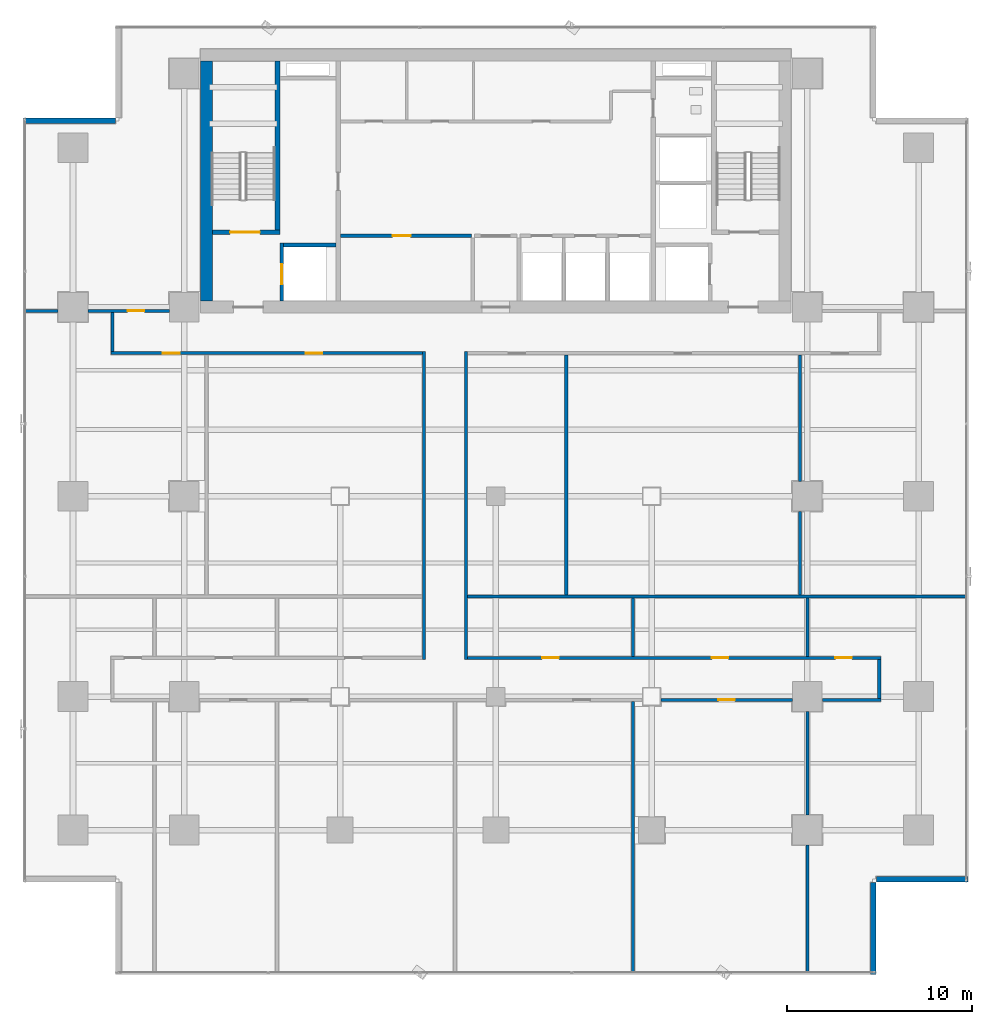
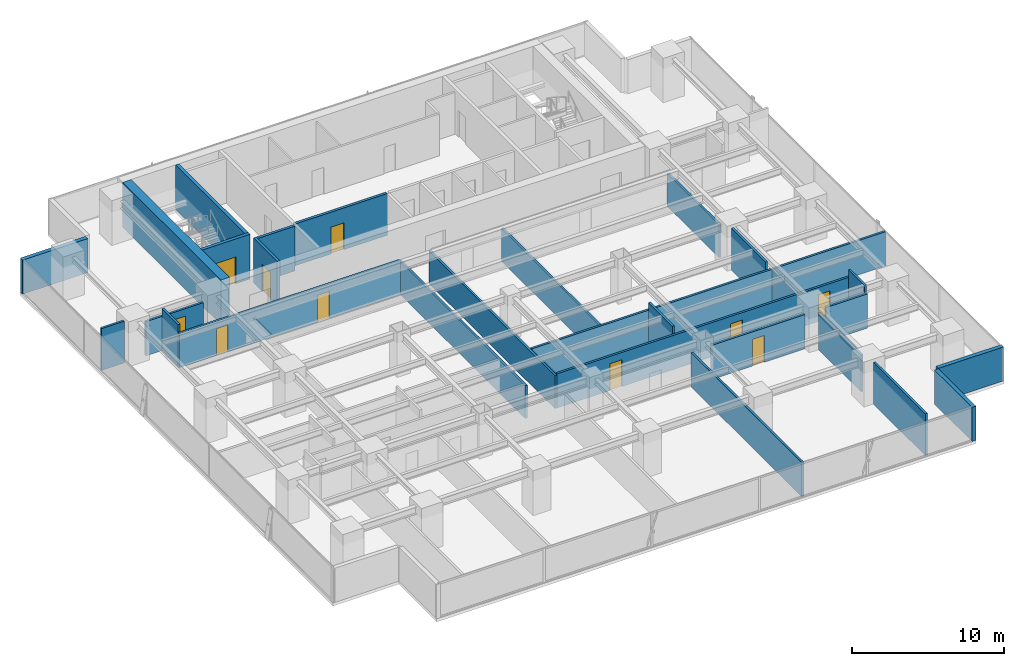
# One storey, part 28 of 37: 28 walls, 10 doors, 10 openings.
"""IFC4 building model written with IfcOpenShell, lengths in metres."""

from ifc_helpers import new_model, si_unit, direction, frame, frame_2d, origin, place, context, subcontext, project, spatial, rectangle, extrude, source, transform, mapped, material, layer, layer_set, type_object, element, fill, save


model = new_model("IFC4")

# Units and contexts
model_context = context("Model", 3, precision=1e-05, world=origin(), true_north=direction((0.0, 1.0)))
body_context = subcontext(model_context, "Body", "Model", "MODEL_VIEW")
ifc_project = project(units=[si_unit("LENGTHUNIT", "METRE"), si_unit("AREAUNIT", "SQUARE_METRE"), si_unit("VOLUMEUNIT", "CUBIC_METRE"), si_unit("PLANEANGLEUNIT", "RADIAN"), si_unit("MASSUNIT", "GRAM", prefix="KILO")], contexts=[model_context])

# Site, building, storey
site_placement = place(None, origin())
site = spatial("IfcSite", under=ifc_project, at=site_placement, CompositionType="ELEMENT")
building_placement = place(site_placement, origin())
building = spatial("IfcBuilding", under=site, at=building_placement, Name="Sumidabori Civic Tower", CompositionType="ELEMENT")
storey_placement = place(building_placement, frame((0.0, 0.0, 110.0)))
storey = spatial("IfcBuildingStorey", under=building, at=storey_placement, Name="L28", CompositionType="ELEMENT", Elevation=110.0)

# Walls
ifc_material_1 = material(Name="Concrete C50/60", Category="concrete")
ifc_layer_1 = layer(ifc_material_1, 0.199951171875, Name="Concrete C50/60")
ifc_layer_set_1 = layer_set([ifc_layer_1], Name="Concrete C50/60")
wall_type_1 = type_object("IfcWallType", Name="WL-SHAFT-200", PredefinedType="SHEAR", material=ifc_layer_set_1)
shared_shape_1 = source(origin(), body_context, "Body", "SweptSolid", [
    extrude(rectangle(XDim=2.824951171875, YDim=0.199951171875, at=frame_2d((1.41259765625, 0.0))), origin(), (0.0, 0.0, 1.0), 3.60009765625),
])
wall_1_placement = place(storey_placement, frame((-11.449951171875, 13.550048828125, 0.0), z_axis=(0.0, 0.0, 1.0), x_axis=(1.0, 0.0, 0.0)))
element("IfcWall", 1, at=wall_1_placement, inside=storey, type_object=wall_type_1, Name="Core Shear Wall L28 EL1-N", PredefinedType="SHEAR", context=body_context, shape_type="MappedRepresentation", body=[
    mapped(shared_shape_1, transform((0.0, 0.0, 0.0), x_axis=(1.0, 0.0, 0.0), y_axis=(0.0, 1.0, 0.0), z_axis=(0.0, 0.0, 1.0), scale=1.0)),
])
ifc_material_2 = material(Name="Concrete C60/75", Category="concrete")
ifc_layer_2 = layer(ifc_material_2, 0.64990234375, Name="Concrete C60/75")
ifc_layer_set_2 = layer_set([ifc_layer_2], Name="Concrete C60/75")
wall_type_2 = type_object("IfcWallType", Name="WL-CORE-650", PredefinedType="SHEAR", material=ifc_layer_set_2)
shared_shape_2 = source(origin(), body_context, "Body", "SweptSolid", [
    extrude(rectangle(XDim=12.9501953125, YDim=0.64990234375, at=frame_2d((6.47509765625, 0.0))), origin(), (0.0, 0.0, 1.0), 3.60009765625),
])
wall_2_placement = place(storey_placement, frame((-15.60009765625, 10.52490234375, 0.0), z_axis=(0.0, 0.0, 1.0), x_axis=(0.0, 1.0, 0.0)))
element("IfcWall", 2, at=wall_2_placement, inside=storey, type_object=wall_type_2, Name="Core Shear Wall L28 W", PredefinedType="SHEAR", context=body_context, shape_type="MappedRepresentation", body=[
    mapped(shared_shape_2, transform((0.0, 0.0, 0.0), x_axis=(1.0, 0.0, 0.0), y_axis=(0.0, 1.0, 0.0), z_axis=(0.0, 0.0, 1.0), scale=1.0)),
])

# Wall, opening, door
ifc_layer_3 = layer(ifc_material_1, 0.25, Name="Concrete C50/60")
ifc_layer_set_3 = layer_set([ifc_layer_3], Name="Concrete C50/60")
wall_type_3 = type_object("IfcWallType", Name="WL-SHAFT-250", PredefinedType="SHEAR", material=ifc_layer_set_3)
shared_shape_3 = source(origin(), body_context, "Body", "SweptSolid", [
    extrude(rectangle(XDim=3.6298828125, YDim=0.25, at=frame_2d((1.81494140625, 0.0))), origin(), (0.0, 0.0, 1.0), 3.60009765625),
])
wall_3_placement = place(storey_placement, frame((-15.27490234375, 14.25, 0.0), z_axis=(0.0, 0.0, 1.0), x_axis=(1.0, 0.0, 0.0)))
wall_3 = element("IfcWall", 3, at=wall_3_placement, inside=storey, type_object=wall_type_3, Name="Core Shear Wall L28 ST1-S", PredefinedType="SHEAR", context=body_context, shape_type="MappedRepresentation", body=[
    mapped(shared_shape_3, transform((0.0, 0.0, 0.0), x_axis=(1.0, 0.0, 0.0), y_axis=(0.0, 1.0, 0.0), z_axis=(0.0, 0.0, 1.0), scale=1.0)),
])
opening_1_placement = place(wall_3_placement, frame((0.949951171875, 0.0, 0.0)))
opening_1 = element("IfcOpeningElement", 4, at=opening_1_placement, cuts=wall_3, Name="Opening DR-FD4", PredefinedType="OPENING", context=body_context, shape_type="SweptSolid", body=[
    extrude(rectangle(XDim=1.60009765625, YDim=2.14990234375, at=frame_2d((0.800048828125, 1.074951171875))), frame((0.0, 0.136962890625, 0.0), z_axis=(0.0, -1.0, 0.0), x_axis=(1.0, 0.0, 0.0)), (0.0, 0.0, 1.0), 0.27392578125),
])
ifc_material_3 = material(Name="Steel SN490", Category="steel")
door_type_1 = type_object("IfcDoorType", Name="DR-FD4", OperationType="DOUBLE_DOOR_SINGLE_SWING", PredefinedType="DOOR", material=ifc_material_3)
shared_shape_4 = source(origin(), body_context, "Body", "SweptSolid", [
    extrude(rectangle(XDim=1.60009765625, YDim=2.14990234375, at=frame_2d((0.800048828125, 1.074951171875))), frame((0.0, 0.02490234375, 0.0), z_axis=(0.0, -1.0, 0.0), x_axis=(1.0, 0.0, 0.0)), (0.0, 0.0, 1.0), 0.050048828125),
])
door_1_placement = place(opening_1_placement, origin())
door_1 = element("IfcDoor", 5, at=door_1_placement, inside=storey, type_object=door_type_1, Name="Door DR:L28:ST1", OperationType="DOUBLE_DOOR_SINGLE_SWING", OverallHeight=2.14990234375, OverallWidth=1.60009765625, PredefinedType="DOOR", context=body_context, shape_type="MappedRepresentation", body=[
    mapped(shared_shape_4, transform((0.0, 0.0, 0.0), x_axis=(1.0, 0.0, 0.0), y_axis=(0.0, 1.0, 0.0), z_axis=(0.0, 0.0, 1.0), scale=1.0)),
])
fill(opening_1, door_1)

# Wall
shared_shape_5 = source(origin(), body_context, "Body", "SweptSolid", [
    extrude(rectangle(XDim=9.10009765625, YDim=0.25, at=frame_2d((4.550048828125, 0.0))), origin(), (0.0, 0.0, 1.0), 3.60009765625),
])
wall_4_placement = place(storey_placement, frame((-11.77001953125, 14.375, 0.0), z_axis=(0.0, 0.0, 1.0), x_axis=(0.0, 1.0, 0.0)))
element("IfcWall", 6, at=wall_4_placement, inside=storey, type_object=wall_type_3, Name="Core Shear Wall L28 ST1-E", PredefinedType="SHEAR", context=body_context, shape_type="MappedRepresentation", body=[
    mapped(shared_shape_5, transform((0.0, 0.0, 0.0), x_axis=(1.0, 0.0, 0.0), y_axis=(0.0, 1.0, 0.0), z_axis=(0.0, 0.0, 1.0), scale=1.0)),
])

# Wall, opening, door
shared_shape_6 = source(origin(), body_context, "Body", "SweptSolid", [
    extrude(rectangle(XDim=3.125, YDim=0.199951171875, at=frame_2d((1.5625, 0.0))), origin(), (0.0, 0.0, 1.0), 3.60009765625),
])
wall_5_placement = place(storey_placement, frame((-11.550048828125, 10.52490234375, 0.0), z_axis=(0.0, 0.0, 1.0), x_axis=(0.0, 1.0, 0.0)))
wall_5 = element("IfcWall", 7, at=wall_5_placement, inside=storey, type_object=wall_type_1, Name="Core Shear Wall L28 EL1-W", PredefinedType="SHEAR", context=body_context, shape_type="MappedRepresentation", body=[
    mapped(shared_shape_6, transform((0.0, 0.0, 0.0), x_axis=(1.0, 0.0, 0.0), y_axis=(0.0, 1.0, 0.0), z_axis=(0.0, 0.0, 1.0), scale=1.0)),
])
opening_2_placement = place(wall_5_placement, frame((0.89990234375, 0.0, 0.0)))
opening_2 = element("IfcOpeningElement", 8, at=opening_2_placement, cuts=wall_5, Name="Opening LD-2", PredefinedType="OPENING", context=body_context, shape_type="SweptSolid", body=[
    extrude(rectangle(XDim=1.10009765625, YDim=2.14990234375, at=frame_2d((0.550048828125, 1.074951171875))), frame((0.0, 0.11181640625, 0.0), z_axis=(0.0, -1.0, 0.0), x_axis=(1.0, 0.0, 0.0)), (0.0, 0.0, 1.0), 0.223876953125),
])
ifc_material_4 = material(Name="Stainless Steel Hairline Finish", Category="steel")
door_type_2 = type_object("IfcDoorType", Name="DR-LD2", OperationType="DOUBLE_DOOR_SLIDING", PredefinedType="DOOR", material=ifc_material_4)
shared_shape_7 = source(origin(), body_context, "Body", "SweptSolid", [
    extrude(rectangle(XDim=1.10009765625, YDim=2.14990234375, at=frame_2d((0.550048828125, 1.074951171875))), frame((0.0, 0.02490234375, 0.0), z_axis=(0.0, -1.0, 0.0), x_axis=(1.0, 0.0, 0.0)), (0.0, 0.0, 1.0), 0.050048828125),
])
door_2_placement = place(opening_2_placement, origin())
door_2 = element("IfcDoor", 9, at=door_2_placement, inside=storey, type_object=door_type_2, Name="Door DR:L28:LD-EL1", OperationType="DOUBLE_DOOR_SLIDING", OverallHeight=2.14990234375, OverallWidth=1.10009765625, PredefinedType="DOOR", context=body_context, shape_type="MappedRepresentation", body=[
    mapped(shared_shape_7, transform((0.0, 0.0, 0.0), x_axis=(1.0, 0.0, 0.0), y_axis=(0.0, 1.0, 0.0), z_axis=(0.0, 0.0, 1.0), scale=1.0)),
])
fill(opening_2, door_2)

# Walls
ifc_material_5 = material(Name="Precast concrete C40/50", Category="concrete")
ifc_layer_4 = layer(ifc_material_5, 0.300048828125, Name="Precast concrete C40/50")
ifc_layer_set_4 = layer_set([ifc_layer_4], Name="Precast concrete C40/50")
wall_type_4 = type_object("IfcWallType", Name="WL-EXT-POD300", PredefinedType="STANDARD", material=ifc_layer_set_4)
shared_shape_8 = source(origin(), body_context, "Body", "SweptSolid", [
    extrude(rectangle(XDim=4.9599609375, YDim=0.300048828125, at=frame_2d((2.47998046875, 0.0))), origin(), (0.0, 0.0, 1.0), 2.739990234375),
])
for number, where, z_axis, x_axis, name in (
    (10, (20.35009765625, -25.780029296875, 0.0), (0.0, 0.0, 1.0), (0.0, 1.0, 0.0), "Notched Corner Spandrel Band L28-02"),
    (11, (20.52001953125, -20.64990234375, 0.0), (0.0, 0.0, 1.0), (1.0, 0.0, 0.0), "Notched Corner Spandrel Band L28-03"),
    (12, (-20.52001953125, 20.25, 0.0), (0.0, 0.0, 1.0), (-1.0, 0.0, 0.0), "Notched Corner Spandrel Band L28-09"),
):
    element("IfcWall", number, at=place(storey_placement, frame(where, z_axis=z_axis, x_axis=x_axis)), inside=storey, type_object=wall_type_4, Name=name, PredefinedType="STANDARD", context=body_context, shape_type="MappedRepresentation", body=[
        mapped(shared_shape_8, transform((0.0, 0.0, 0.0), x_axis=(1.0, 0.0, 0.0), y_axis=(0.0, 1.0, 0.0), z_axis=(0.0, 0.0, 1.0), scale=1.0)),
    ])

# Wall, opening, door
ifc_material_6 = material(Name="Gypsum Plasterboard Fire Partition")
ifc_layer_5 = layer(ifc_material_6, 0.199951171875, Name="Gypsum Plasterboard Fire Partition")
ifc_layer_set_5 = layer_set([ifc_layer_5], Name="Gypsum Plasterboard Fire Partition")
wall_type_5 = type_object("IfcWallType", Name="WL-PART-FIRE", PredefinedType="PARTITIONING", material=ifc_layer_set_5)
shared_shape_9 = source(origin(), body_context, "Body", "SweptSolid", [
    extrude(rectangle(XDim=7.070068359375, YDim=0.199951171875, at=frame_2d((3.53515625, 0.0))), origin(), (0.0, 0.0, 1.0), 3.360107421875),
])
wall_6_placement = place(storey_placement, frame((-8.3701171875, 14.050048828125, 0.0), z_axis=(0.0, 0.0, 1.0), x_axis=(1.0, 0.0, 0.0)))
wall_6 = element("IfcWall", 13, at=wall_6_placement, inside=storey, type_object=wall_type_5, Name="Interior Partition WL:L28:CBAND-SW", PredefinedType="PARTITIONING", context=body_context, shape_type="MappedRepresentation", body=[
    mapped(shared_shape_9, transform((0.0, 0.0, 0.0), x_axis=(1.0, 0.0, 0.0), y_axis=(0.0, 1.0, 0.0), z_axis=(0.0, 0.0, 1.0), scale=1.0)),
])
opening_3_placement = place(wall_6_placement, frame((2.800048828125, 0.0, 0.0)))
opening_3 = element("IfcOpeningElement", 14, at=opening_3_placement, cuts=wall_6, Name="Opening DR-3", PredefinedType="OPENING", context=body_context, shape_type="SweptSolid", body=[
    extrude(rectangle(XDim=0.97998046875, YDim=2.14990234375, at=frame_2d((0.489990234375, 1.074951171875))), frame((0.0, 0.11181640625, 0.0), z_axis=(0.0, -1.0, 0.0), x_axis=(1.0, 0.0, 0.0)), (0.0, 0.0, 1.0), 0.223876953125),
])
ifc_material_7 = material(Name="Japanese Hinoki Timber", Category="wood")
door_type_3 = type_object("IfcDoorType", Name="DR-INT-980", OperationType="NOTDEFINED", PredefinedType="DOOR", material=ifc_material_7)
shared_shape_10 = source(origin(), body_context, "Body", "SweptSolid", [
    extrude(rectangle(XDim=0.97998046875, YDim=2.14990234375, at=frame_2d((0.489990234375, 1.074951171875))), frame((0.0, 0.02490234375, 0.0), z_axis=(0.0, -1.0, 0.0), x_axis=(1.0, 0.0, 0.0)), (0.0, 0.0, 1.0), 0.050048828125),
])
door_3_placement = place(opening_3_placement, origin())
door_3 = element("IfcDoor", 15, at=door_3_placement, inside=storey, type_object=door_type_3, Name="Door DR:L28:REC-B1", OperationType="SINGLE_SWING_LEFT", OverallHeight=2.14990234375, OverallWidth=0.97998046875, PredefinedType="DOOR", context=body_context, shape_type="MappedRepresentation", body=[
    mapped(shared_shape_10, transform((0.0, 0.0, 0.0), x_axis=(1.0, 0.0, 0.0), y_axis=(0.0, 1.0, 0.0), z_axis=(0.0, 0.0, 1.0), scale=1.0)),
])
fill(opening_3, door_3)

# Walls
ifc_material_8 = material(Name="Gypsum Plasterboard Acoustic Partition")
ifc_layer_6 = layer(ifc_material_8, 0.1650390625, Name="Gypsum Plasterboard Acoustic Partition")
ifc_layer_set_6 = layer_set([ifc_layer_6], Name="Gypsum Plasterboard Acoustic Partition")
wall_type_6 = type_object("IfcWallType", Name="WL-PART-165", PredefinedType="PARTITIONING", material=ifc_layer_set_6)
shared_shape_11 = source(origin(), body_context, "Body", "SweptSolid", [
    extrude(rectangle(XDim=16.60009765625, YDim=0.1650390625, at=frame_2d((8.300048828125, 0.0))), origin(), (0.0, 0.0, 1.0), 2.64501953125),
])
for number, where, z_axis, x_axis, name in (
    (16, (-3.882568359375, -8.800048828125, 0.0), (0.0, 0.0, 1.0), (0.0, 1.0, 0.0), "Interior Partition WL:L28:CORR-VSP-W"),
    (17, (-1.617431640625, -8.800048828125, 0.0), (0.0, 0.0, 1.0), (0.0, 1.0, 0.0), "Interior Partition WL:L28:CORR-VSP-E"),
):
    element("IfcWall", number, at=place(storey_placement, frame(where, z_axis=z_axis, x_axis=x_axis)), inside=storey, type_object=wall_type_6, Name=name, PredefinedType="PARTITIONING", context=body_context, shape_type="MappedRepresentation", body=[
        mapped(shared_shape_11, transform((0.0, 0.0, 0.0), x_axis=(1.0, 0.0, 0.0), y_axis=(0.0, 1.0, 0.0), z_axis=(0.0, 0.0, 1.0), scale=1.0)),
    ])
shared_shape_12 = source(origin(), body_context, "Body", "SweptSolid", [
    extrude(rectangle(XDim=12.9423828125, YDim=0.1650390625, at=frame_2d((6.47119140625, 0.0))), origin(), (0.0, 0.0, 1.0), 2.64501953125),
])
wall_7_placement = place(storey_placement, frame((3.800048828125, -5.3125, 0.0), z_axis=(0.0, 0.0, 1.0), x_axis=(0.0, 1.0, 0.0)))
element("IfcWall", 18, at=wall_7_placement, inside=storey, type_object=wall_type_6, Name="Interior Partition WL:L28:VX-N2", PredefinedType="PARTITIONING", context=body_context, shape_type="MappedRepresentation", body=[
    mapped(shared_shape_12, transform((0.0, 0.0, 0.0), x_axis=(1.0, 0.0, 0.0), y_axis=(0.0, 1.0, 0.0), z_axis=(0.0, 0.0, 1.0), scale=1.0)),
])
shared_shape_13 = source(origin(), body_context, "Body", "SweptSolid", [
    extrude(rectangle(XDim=6.81982421875, YDim=0.1650390625, at=frame_2d((3.409912109375, 0.0))), origin(), (0.0, 0.0, 1.0), 2.64501953125),
])
wall_8_placement = place(storey_placement, frame((16.39990234375, 0.81005859375, 0.0), z_axis=(0.0, 0.0, 1.0), x_axis=(0.0, 1.0, 0.0)))
element("IfcWall", 19, at=wall_8_placement, inside=storey, type_object=wall_type_6, Name="Interior Partition WL:L28:VX-N3-2", PredefinedType="PARTITIONING", context=body_context, shape_type="MappedRepresentation", body=[
    mapped(shared_shape_13, transform((0.0, 0.0, 0.0), x_axis=(1.0, 0.0, 0.0), y_axis=(0.0, 1.0, 0.0), z_axis=(0.0, 0.0, 1.0), scale=1.0)),
])
shared_shape_14 = source(origin(), body_context, "Body", "SweptSolid", [
    extrude(rectangle(XDim=5.579833984375, YDim=0.1650390625, at=frame_2d((2.7900390625, 0.0))), origin(), (0.0, 0.0, 1.0), 2.945068359375),
])
wall_9_placement = place(storey_placement, frame((16.800048828125, -17.18994140625, 0.0), z_axis=(0.0, 0.0, 1.0), x_axis=(0.0, 1.0, 0.0)))
element("IfcWall", 20, at=wall_9_placement, inside=storey, type_object=wall_type_6, Name="Interior Partition WL:L28:VX-S5-2", PredefinedType="PARTITIONING", context=body_context, shape_type="MappedRepresentation", body=[
    mapped(shared_shape_14, transform((0.0, 0.0, 0.0), x_axis=(1.0, 0.0, 0.0), y_axis=(0.0, 1.0, 0.0), z_axis=(0.0, 0.0, 1.0), scale=1.0)),
])
shared_shape_15 = source(origin(), body_context, "Body", "SweptSolid", [
    extrude(rectangle(XDim=1.739990234375, YDim=0.1650390625, at=frame_2d((0.8701171875, 0.0))), origin(), (0.0, 0.0, 1.0), 3.360107421875),
])
wall_10_placement = place(storey_placement, frame((-25.35009765625, 10.0, 0.0), z_axis=(0.0, 0.0, 1.0), x_axis=(1.0, 0.0, 0.0)))
element("IfcWall", 21, at=wall_10_placement, inside=storey, type_object=wall_type_6, Name="Interior Partition WL:L28:FLK-NW-1", PredefinedType="PARTITIONING", context=body_context, shape_type="MappedRepresentation", body=[
    mapped(shared_shape_15, transform((0.0, 0.0, 0.0), x_axis=(1.0, 0.0, 0.0), y_axis=(0.0, 1.0, 0.0), z_axis=(0.0, 0.0, 1.0), scale=1.0)),
])

# Wall, opening, door
shared_shape_16 = source(origin(), body_context, "Body", "SweptSolid", [
    extrude(rectangle(XDim=4.3798828125, YDim=0.1650390625, at=frame_2d((2.18994140625, 0.0))), origin(), (0.0, 0.0, 1.0), 2.7451171875),
])
wall_11_placement = place(storey_placement, frame((-21.989990234375, 10.0, 0.0), z_axis=(0.0, 0.0, 1.0), x_axis=(1.0, 0.0, 0.0)))
wall_11 = element("IfcWall", 22, at=wall_11_placement, inside=storey, type_object=wall_type_6, Name="Interior Partition WL:L28:FLK-NW-2", PredefinedType="PARTITIONING", context=body_context, shape_type="MappedRepresentation", body=[
    mapped(shared_shape_16, transform((0.0, 0.0, 0.0), x_axis=(1.0, 0.0, 0.0), y_axis=(0.0, 1.0, 0.0), z_axis=(0.0, 0.0, 1.0), scale=1.0)),
])
opening_4_placement = place(wall_11_placement, frame((2.135009765625, 0.0, 0.0)))
opening_4 = element("IfcOpeningElement", 23, at=opening_4_placement, cuts=wall_11, Name="Opening DR-1", PredefinedType="OPENING", context=body_context, shape_type="SweptSolid", body=[
    extrude(rectangle(XDim=0.89990234375, YDim=2.14990234375, at=frame_2d((0.449951171875, 1.074951171875))), frame((0.0, 0.094482421875, 0.0), z_axis=(0.0, -1.0, 0.0), x_axis=(1.0, 0.0, 0.0)), (0.0, 0.0, 1.0), 0.18896484375),
])
door_type_4 = type_object("IfcDoorType", Name="DR-INT-900", OperationType="NOTDEFINED", PredefinedType="DOOR", material=ifc_material_7)
shared_shape_17 = source(origin(), body_context, "Body", "SweptSolid", [
    extrude(rectangle(XDim=0.89990234375, YDim=2.14990234375, at=frame_2d((0.449951171875, 1.074951171875))), frame((0.0, 0.02490234375, 0.0), z_axis=(0.0, -1.0, 0.0), x_axis=(1.0, 0.0, 0.0)), (0.0, 0.0, 1.0), 0.050048828125),
])
door_4_placement = place(opening_4_placement, origin())
door_4 = element("IfcDoor", 24, at=door_4_placement, inside=storey, type_object=door_type_4, Name="Door DR:L28:FLK-NW", OperationType="SINGLE_SWING_LEFT", OverallHeight=2.14990234375, OverallWidth=0.89990234375, PredefinedType="DOOR", context=body_context, shape_type="MappedRepresentation", body=[
    mapped(shared_shape_17, transform((0.0, 0.0, 0.0), x_axis=(1.0, 0.0, 0.0), y_axis=(0.0, 1.0, 0.0), z_axis=(0.0, 0.0, 1.0), scale=1.0)),
])
fill(opening_4, door_4)

# Wall, openings, doors
shared_shape_18 = source(origin(), body_context, "Body", "SweptSolid", [
    extrude(rectangle(XDim=16.7998046875, YDim=0.1650390625, at=frame_2d((8.39990234375, 0.0))), origin(), (0.0, 0.0, 1.0), 2.7451171875),
])
wall_12_placement = place(storey_placement, frame((-20.764892578125, 7.717529296875, 0.0), z_axis=(0.0, 0.0, 1.0), x_axis=(1.0, 0.0, 0.0)))
wall_12 = element("IfcWall", 25, at=wall_12_placement, inside=storey, type_object=wall_type_6, Name="Interior Partition WL:L28:CORR-SW", PredefinedType="PARTITIONING", context=body_context, shape_type="MappedRepresentation", body=[
    mapped(shared_shape_18, transform((0.0, 0.0, 0.0), x_axis=(1.0, 0.0, 0.0), y_axis=(0.0, 1.0, 0.0), z_axis=(0.0, 0.0, 1.0), scale=1.0)),
])
opening_5_placement = place(wall_12_placement, frame((2.813720703125, 0.0, 0.0)))
opening_5 = element("IfcOpeningElement", 26, at=opening_5_placement, cuts=wall_12, Name="Opening DR-1", PredefinedType="OPENING", context=body_context, shape_type="SweptSolid", body=[
    extrude(rectangle(XDim=0.89990234375, YDim=2.14990234375, at=frame_2d((0.449951171875, 1.074951171875))), frame((0.0, 0.094482421875, 0.0), z_axis=(0.0, -1.0, 0.0), x_axis=(1.0, 0.0, 0.0)), (0.0, 0.0, 1.0), 0.18896484375),
])
opening_6_placement = place(wall_12_placement, frame((10.513916015625, 0.0, 0.0)))
opening_6 = element("IfcOpeningElement", 27, at=opening_6_placement, cuts=wall_12, Name="Opening DR-1", PredefinedType="OPENING", context=body_context, shape_type="SweptSolid", body=[
    extrude(rectangle(XDim=0.89990234375, YDim=2.14990234375, at=frame_2d((0.449951171875, 1.074951171875))), frame((0.0, 0.094482421875, 0.0), z_axis=(0.0, -1.0, 0.0), x_axis=(1.0, 0.0, 0.0)), (0.0, 0.0, 1.0), 0.18896484375),
])
door_5_placement = place(opening_5_placement, origin())
door_5 = element("IfcDoor", 28, at=door_5_placement, inside=storey, type_object=door_type_4, Name="Door DR:L28:D02", OperationType="SINGLE_SWING_RIGHT", OverallHeight=2.14990234375, OverallWidth=0.89990234375, PredefinedType="DOOR", context=body_context, shape_type="MappedRepresentation", body=[
    mapped(shared_shape_17, transform((0.0, 0.0, 0.0), x_axis=(1.0, 0.0, 0.0), y_axis=(0.0, 1.0, 0.0), z_axis=(0.0, 0.0, 1.0), scale=1.0)),
])
fill(opening_5, door_5)
door_6_placement = place(opening_6_placement, origin())
door_6 = element("IfcDoor", 29, at=door_6_placement, inside=storey, type_object=door_type_4, Name="Door DR:L28:D04", OperationType="SINGLE_SWING_RIGHT", OverallHeight=2.14990234375, OverallWidth=0.89990234375, PredefinedType="DOOR", context=body_context, shape_type="MappedRepresentation", body=[
    mapped(shared_shape_17, transform((0.0, 0.0, 0.0), x_axis=(1.0, 0.0, 0.0), y_axis=(0.0, 1.0, 0.0), z_axis=(0.0, 0.0, 1.0), scale=1.0)),
])
fill(opening_6, door_6)

shared_shape_19 = source(origin(), body_context, "Body", "SweptSolid", [
    extrude(rectangle(XDim=22.2998046875, YDim=0.1650390625, at=frame_2d((11.14990234375, 0.0))), origin(), (0.0, 0.0, 1.0), 2.7451171875),
])
wall_13_placement = place(storey_placement, frame((-1.534912109375, -8.717529296875, 0.0), z_axis=(0.0, 0.0, 1.0), x_axis=(1.0, 0.0, 0.0)))
wall_13 = element("IfcWall", 30, at=wall_13_placement, inside=storey, type_object=wall_type_6, Name="Interior Partition WL:L28:CORR-MNE", PredefinedType="PARTITIONING", context=body_context, shape_type="MappedRepresentation", body=[
    mapped(shared_shape_19, transform((0.0, 0.0, 0.0), x_axis=(1.0, 0.0, 0.0), y_axis=(0.0, 1.0, 0.0), z_axis=(0.0, 0.0, 1.0), scale=1.0)),
])
opening_7_placement = place(wall_13_placement, frame((4.0361328125, 0.0, 0.0)))
opening_7 = element("IfcOpeningElement", 31, at=opening_7_placement, cuts=wall_13, Name="Opening DR-1", PredefinedType="OPENING", context=body_context, shape_type="SweptSolid", body=[
    extrude(rectangle(XDim=0.89990234375, YDim=2.14990234375, at=frame_2d((0.449951171875, 1.074951171875))), frame((0.0, 0.094482421875, 0.0), z_axis=(0.0, -1.0, 0.0), x_axis=(1.0, 0.0, 0.0)), (0.0, 0.0, 1.0), 0.18896484375),
])
opening_8_placement = place(wall_13_placement, frame((13.18505859375, 0.0, 0.0)))
opening_8 = element("IfcOpeningElement", 32, at=opening_8_placement, cuts=wall_13, Name="Opening DR-1", PredefinedType="OPENING", context=body_context, shape_type="SweptSolid", body=[
    extrude(rectangle(XDim=0.89990234375, YDim=2.14990234375, at=frame_2d((0.449951171875, 1.074951171875))), frame((0.0, 0.094482421875, 0.0), z_axis=(0.0, -1.0, 0.0), x_axis=(1.0, 0.0, 0.0)), (0.0, 0.0, 1.0), 0.18896484375),
])
opening_9_placement = place(wall_13_placement, frame((19.84619140625, 0.0, 0.0)))
opening_9 = element("IfcOpeningElement", 33, at=opening_9_placement, cuts=wall_13, Name="Opening DR-1", PredefinedType="OPENING", context=body_context, shape_type="SweptSolid", body=[
    extrude(rectangle(XDim=0.89990234375, YDim=2.14990234375, at=frame_2d((0.449951171875, 1.074951171875))), frame((0.0, 0.094482421875, 0.0), z_axis=(0.0, -1.0, 0.0), x_axis=(1.0, 0.0, 0.0)), (0.0, 0.0, 1.0), 0.18896484375),
])
door_7_placement = place(opening_7_placement, origin())
door_7 = element("IfcDoor", 34, at=door_7_placement, inside=storey, type_object=door_type_4, Name="Door DR:L28:D09", OperationType="SINGLE_SWING_LEFT", OverallHeight=2.14990234375, OverallWidth=0.89990234375, PredefinedType="DOOR", context=body_context, shape_type="MappedRepresentation", body=[
    mapped(shared_shape_17, transform((0.0, 0.0, 0.0), x_axis=(1.0, 0.0, 0.0), y_axis=(0.0, 1.0, 0.0), z_axis=(0.0, 0.0, 1.0), scale=1.0)),
])
fill(opening_7, door_7)
door_8_placement = place(opening_8_placement, origin())
door_8 = element("IfcDoor", 35, at=door_8_placement, inside=storey, type_object=door_type_4, Name="Door DR:L28:D10", OperationType="SINGLE_SWING_RIGHT", OverallHeight=2.14990234375, OverallWidth=0.89990234375, PredefinedType="DOOR", context=body_context, shape_type="MappedRepresentation", body=[
    mapped(shared_shape_17, transform((0.0, 0.0, 0.0), x_axis=(1.0, 0.0, 0.0), y_axis=(0.0, 1.0, 0.0), z_axis=(0.0, 0.0, 1.0), scale=1.0)),
])
fill(opening_8, door_8)
door_9_placement = place(opening_9_placement, origin())
door_9 = element("IfcDoor", 36, at=door_9_placement, inside=storey, type_object=door_type_4, Name="Door DR:L28:D12", OperationType="SINGLE_SWING_RIGHT", OverallHeight=2.14990234375, OverallWidth=0.89990234375, PredefinedType="DOOR", context=body_context, shape_type="MappedRepresentation", body=[
    mapped(shared_shape_17, transform((0.0, 0.0, 0.0), x_axis=(1.0, 0.0, 0.0), y_axis=(0.0, 1.0, 0.0), z_axis=(0.0, 0.0, 1.0), scale=1.0)),
])
fill(opening_9, door_9)

# Wall
shared_shape_20 = source(origin(), body_context, "Body", "SweptSolid", [
    extrude(rectangle(XDim=3.15478515625, YDim=0.1650390625, at=frame_2d((1.577392578125, 0.0))), origin(), (0.0, 0.0, 1.0), 2.7451171875),
])
wall_14_placement = place(storey_placement, frame((17.610107421875, -10.982421875, 0.0), z_axis=(0.0, 0.0, 1.0), x_axis=(1.0, 0.0, 0.0)))
element("IfcWall", 37, at=wall_14_placement, inside=storey, type_object=wall_type_6, Name="Interior Partition WL:L28:CORR-SS-6", PredefinedType="PARTITIONING", context=body_context, shape_type="MappedRepresentation", body=[
    mapped(shared_shape_20, transform((0.0, 0.0, 0.0), x_axis=(1.0, 0.0, 0.0), y_axis=(0.0, 1.0, 0.0), z_axis=(0.0, 0.0, 1.0), scale=1.0)),
])

# Wall, opening, door
shared_shape_21 = source(origin(), body_context, "Body", "SweptSolid", [
    extrude(rectangle(XDim=7.080078125, YDim=0.1650390625, at=frame_2d((3.5400390625, 0.0))), origin(), (0.0, 0.0, 1.0), 2.7451171875),
])
wall_15_placement = place(storey_placement, frame((8.909912109375, -10.982421875, 0.0), z_axis=(0.0, 0.0, 1.0), x_axis=(1.0, 0.0, 0.0)))
wall_15 = element("IfcWall", 38, at=wall_15_placement, inside=storey, type_object=wall_type_6, Name="Interior Partition WL:L28:CORR-SS-5", PredefinedType="PARTITIONING", context=body_context, shape_type="MappedRepresentation", body=[
    mapped(shared_shape_21, transform((0.0, 0.0, 0.0), x_axis=(1.0, 0.0, 0.0), y_axis=(0.0, 1.0, 0.0), z_axis=(0.0, 0.0, 1.0), scale=1.0)),
])
opening_10_placement = place(wall_15_placement, frame((3.090087890625, 0.0, 0.0)))
opening_10 = element("IfcOpeningElement", 39, at=opening_10_placement, cuts=wall_15, Name="Opening DR-1", PredefinedType="OPENING", context=body_context, shape_type="SweptSolid", body=[
    extrude(rectangle(XDim=0.89990234375, YDim=2.14990234375, at=frame_2d((0.449951171875, 1.074951171875))), frame((0.0, 0.094482421875, 0.0), z_axis=(0.0, -1.0, 0.0), x_axis=(1.0, 0.0, 0.0)), (0.0, 0.0, 1.0), 0.18896484375),
])
door_10_placement = place(opening_10_placement, origin())
door_10 = element("IfcDoor", 40, at=door_10_placement, inside=storey, type_object=door_type_4, Name="Door DR:L28:D16", OperationType="SINGLE_SWING_RIGHT", OverallHeight=2.14990234375, OverallWidth=0.89990234375, PredefinedType="DOOR", context=body_context, shape_type="MappedRepresentation", body=[
    mapped(shared_shape_17, transform((0.0, 0.0, 0.0), x_axis=(1.0, 0.0, 0.0), y_axis=(0.0, 1.0, 0.0), z_axis=(0.0, 0.0, 1.0), scale=1.0)),
])
fill(opening_10, door_10)

# Walls
shared_shape_22 = source(origin(), body_context, "Body", "SweptSolid", [
    extrude(rectangle(XDim=2.107666015625, YDim=0.1650390625, at=frame_2d((1.0537109375, 0.0))), origin(), (0.0, 0.0, 1.0), 3.360107421875),
])
wall_16_placement = place(storey_placement, frame((-20.6826171875, 7.804931640625, 0.0), z_axis=(0.0, 0.0, 1.0), x_axis=(0.0, 1.0, 0.0)))
element("IfcWall", 41, at=wall_16_placement, inside=storey, type_object=wall_type_6, Name="Interior Partition WL:L28:CORR-VNW", PredefinedType="PARTITIONING", context=body_context, shape_type="MappedRepresentation", body=[
    mapped(shared_shape_22, transform((0.0, 0.0, 0.0), x_axis=(1.0, 0.0, 0.0), y_axis=(0.0, 1.0, 0.0), z_axis=(0.0, 0.0, 1.0), scale=1.0)),
])
shared_shape_23 = source(origin(), body_context, "Body", "SweptSolid", [
    extrude(rectangle(XDim=2.090087890625, YDim=0.1650390625, at=frame_2d((1.044921875, 0.0))), origin(), (0.0, 0.0, 1.0), 3.360107421875),
])
wall_17_placement = place(storey_placement, frame((20.6826171875, -10.89501953125, 0.0), z_axis=(0.0, 0.0, 1.0), x_axis=(0.0, 1.0, 0.0)))
element("IfcWall", 42, at=wall_17_placement, inside=storey, type_object=wall_type_6, Name="Interior Partition WL:L28:CORR-VSE", PredefinedType="PARTITIONING", context=body_context, shape_type="MappedRepresentation", body=[
    mapped(shared_shape_23, transform((0.0, 0.0, 0.0), x_axis=(1.0, 0.0, 0.0), y_axis=(0.0, 1.0, 0.0), z_axis=(0.0, 0.0, 1.0), scale=1.0)),
])
shared_shape_24 = source(origin(), body_context, "Body", "SweptSolid", [
    extrude(rectangle(XDim=26.880126953125, YDim=0.1650390625, at=frame_2d((13.43994140625, 0.0))), origin(), (0.0, 0.0, 1.0), 2.7451171875),
])
wall_18_placement = place(storey_placement, frame((-1.530029296875, -5.39990234375, 0.0), z_axis=(0.0, 0.0, 1.0), x_axis=(1.0, 0.0, 0.0)))
element("IfcWall", 43, at=wall_18_placement, inside=storey, type_object=wall_type_6, Name="Interior Partition WL:L28:BAND-Y-2", PredefinedType="PARTITIONING", context=body_context, shape_type="MappedRepresentation", body=[
    mapped(shared_shape_24, transform((0.0, 0.0, 0.0), x_axis=(1.0, 0.0, 0.0), y_axis=(0.0, 1.0, 0.0), z_axis=(0.0, 0.0, 1.0), scale=1.0)),
])
shared_shape_25 = source(origin(), body_context, "Body", "SweptSolid", [
    extrude(rectangle(XDim=4.50244140625, YDim=0.1650390625, at=frame_2d((2.251220703125, 0.0))), origin(), (0.0, 0.0, 1.0), 3.360107421875),
])
wall_19_placement = place(storey_placement, frame((16.39990234375, -5.3125, 0.0), z_axis=(0.0, 0.0, 1.0), x_axis=(0.0, 1.0, 0.0)))
element("IfcWall", 44, at=wall_19_placement, inside=storey, type_object=wall_type_6, Name="Interior Partition WL:L28:VX-N3-1", PredefinedType="PARTITIONING", context=body_context, shape_type="MappedRepresentation", body=[
    mapped(shared_shape_25, transform((0.0, 0.0, 0.0), x_axis=(1.0, 0.0, 0.0), y_axis=(0.0, 1.0, 0.0), z_axis=(0.0, 0.0, 1.0), scale=1.0)),
])
shared_shape_26 = source(origin(), body_context, "Body", "SweptSolid", [
    extrude(rectangle(XDim=14.579833984375, YDim=0.1650390625, at=frame_2d((7.2900390625, 0.0))), origin(), (0.0, 0.0, 1.0), 2.7451171875),
])
wall_20_placement = place(storey_placement, frame((7.39990234375, -25.64990234375, 0.0), z_axis=(0.0, 0.0, 1.0), x_axis=(0.0, 1.0, 0.0)))
element("IfcWall", 45, at=wall_20_placement, inside=storey, type_object=wall_type_6, Name="Interior Partition WL:L28:VX-S4-1", PredefinedType="PARTITIONING", context=body_context, shape_type="MappedRepresentation", body=[
    mapped(shared_shape_26, transform((0.0, 0.0, 0.0), x_axis=(1.0, 0.0, 0.0), y_axis=(0.0, 1.0, 0.0), z_axis=(0.0, 0.0, 1.0), scale=1.0)),
])
shared_shape_27 = source(origin(), body_context, "Body", "SweptSolid", [
    extrude(rectangle(XDim=3.142333984375, YDim=0.1650390625, at=frame_2d((1.5712890625, 0.0))), origin(), (0.0, 0.0, 1.0), 3.360107421875),
])
wall_21_placement = place(storey_placement, frame((7.39990234375, -8.6298828125, 0.0), z_axis=(0.0, 0.0, 1.0), x_axis=(0.0, 1.0, 0.0)))
element("IfcWall", 46, at=wall_21_placement, inside=storey, type_object=wall_type_6, Name="Interior Partition WL:L28:VX-S4-2", PredefinedType="PARTITIONING", context=body_context, shape_type="MappedRepresentation", body=[
    mapped(shared_shape_27, transform((0.0, 0.0, 0.0), x_axis=(1.0, 0.0, 0.0), y_axis=(0.0, 1.0, 0.0), z_axis=(0.0, 0.0, 1.0), scale=1.0)),
])
shared_shape_28 = source(origin(), body_context, "Body", "SweptSolid", [
    extrude(rectangle(XDim=6.83984375, YDim=0.1650390625, at=frame_2d((3.419921875, 0.0))), origin(), (0.0, 0.0, 1.0), 3.360107421875),
])
wall_22_placement = place(storey_placement, frame((16.800048828125, -25.64990234375, 0.0), z_axis=(0.0, 0.0, 1.0), x_axis=(0.0, 1.0, 0.0)))
element("IfcWall", 47, at=wall_22_placement, inside=storey, type_object=wall_type_6, Name="Interior Partition WL:L28:VX-S5-1", PredefinedType="PARTITIONING", context=body_context, shape_type="MappedRepresentation", body=[
    mapped(shared_shape_28, transform((0.0, 0.0, 0.0), x_axis=(1.0, 0.0, 0.0), y_axis=(0.0, 1.0, 0.0), z_axis=(0.0, 0.0, 1.0), scale=1.0)),
])
shared_shape_29 = source(origin(), body_context, "Body", "SweptSolid", [
    extrude(rectangle(XDim=3.142333984375, YDim=0.1650390625, at=frame_2d((1.5712890625, 0.0))), origin(), (0.0, 0.0, 1.0), 2.7451171875),
])
wall_23_placement = place(storey_placement, frame((16.800048828125, -8.6298828125, 0.0), z_axis=(0.0, 0.0, 1.0), x_axis=(0.0, 1.0, 0.0)))
element("IfcWall", 48, at=wall_23_placement, inside=storey, type_object=wall_type_6, Name="Interior Partition WL:L28:VX-S5-3", PredefinedType="PARTITIONING", context=body_context, shape_type="MappedRepresentation", body=[
    mapped(shared_shape_29, transform((0.0, 0.0, 0.0), x_axis=(1.0, 0.0, 0.0), y_axis=(0.0, 1.0, 0.0), z_axis=(0.0, 0.0, 1.0), scale=1.0)),
])

save(model, "model.ifc")
